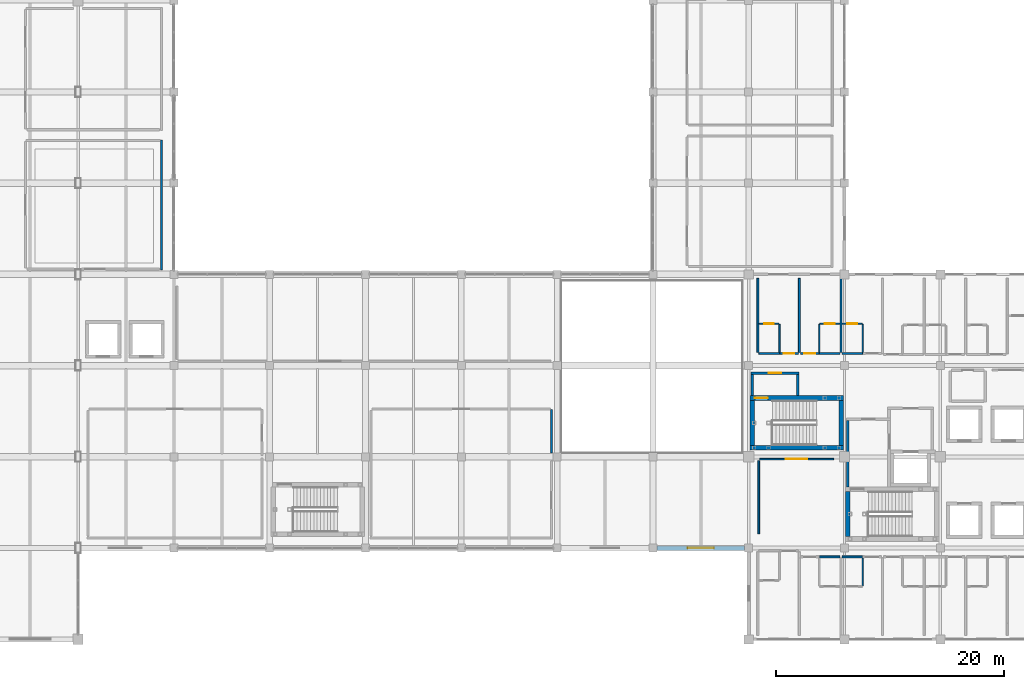
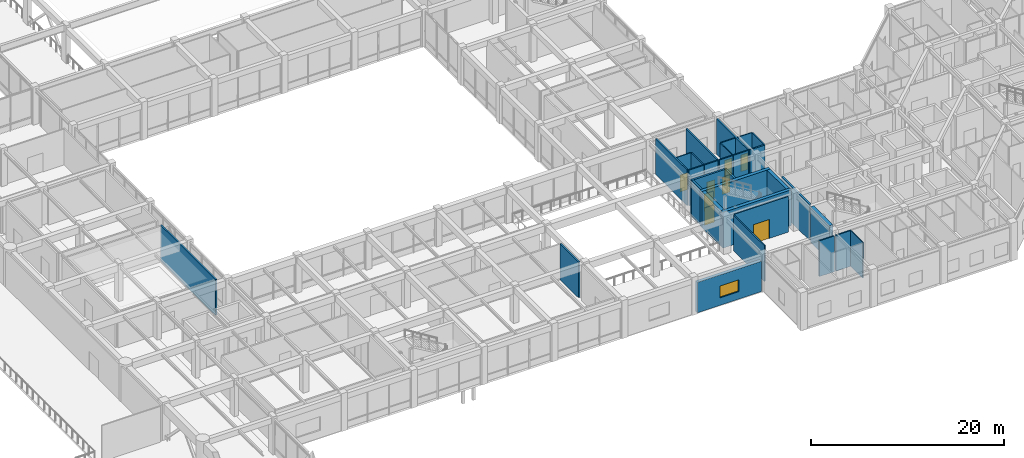
# One storey, part 53 of 76: 31 walls, 8 doors, 1 window, 9 openings.
"""IFC4 building model written with IfcOpenShell, lengths in metres."""

import ifcopenshell
import ifcopenshell.guid

model = None  # the IFC model being written
_history = None  # IfcOwnerHistory: only IFC2X3 demands one
_inside = {}  # id of a spatial element -> (the spatial element, [elements in it])
_under = {}  # id of a project, library or spatial element -> (it, [spatial elements below it])
_declared = {}  # id of a project -> (the project, [libraries it declares])
_typed = {}  # id of a type object -> (the type object, [elements of that type])
_made_of = {}  # id of a material, layer set ... -> (it, [elements and type objects made of it])


def new_model(schema):
    """Start an empty IFC model of exactly this schema.

    Asked for "IFC4X3", IfcOpenShell would pick the latest addendum, in which some entities
    have other attributes; the version numbers below select the first issue.
    IFC2X3 requires an IfcOwnerHistory on every rooted entity: one is made here for all.
    """
    global model, _history
    if schema == "IFC4X3":
        model = ifcopenshell.file(schema_version=(4, 3, 0, 0))
    else:
        model = ifcopenshell.file(schema=schema)
    _inside.clear()
    _under.clear()
    _declared.clear()
    _typed.clear()
    _made_of.clear()
    _history = None
    if model.schema == "IFC2X3":
        org = make("IfcOrganization", Name="unknown")
        user = make(
            "IfcPersonAndOrganization",
            ThePerson=make("IfcPerson", FamilyName="unknown"),
            TheOrganization=org,
        )
        app = make(
            "IfcApplication",
            ApplicationDeveloper=org,
            Version="unknown",
            ApplicationFullName="unknown",
            ApplicationIdentifier="unknown",
        )
        _history = make(
            "IfcOwnerHistory",
            OwningUser=user,
            OwningApplication=app,
            ChangeAction="ADDED",
            CreationDate=0,
        )
    return model


def make(cls, **values):
    """One entity of the class cls with the attributes given. An attribute that is None is left unset."""
    return model.create_entity(
        cls, **{name: value for name, value in values.items() if value is not None}
    )


def rooted(cls, **values):
    """An entity with a GlobalId (a new one), such as an element, a storey or a relation."""
    return make(cls, GlobalId=ifcopenshell.guid.new(), OwnerHistory=_history, **values)


def si_unit(unit_type, name, prefix=None):
    """IfcSIUnit, for example si_unit("LENGTHUNIT", "METRE", prefix="MILLI")."""
    return make("IfcSIUnit", UnitType=unit_type, Prefix=prefix, Name=name)


def assignment(units):
    """IfcUnitAssignment: the units of a project."""
    return None if units is None else make("IfcUnitAssignment", Units=units)


def point(xyz):
    """IfcCartesianPoint."""
    return None if xyz is None else make("IfcCartesianPoint", Coordinates=xyz)


def direction(xyz):
    """IfcDirection."""
    return None if xyz is None else make("IfcDirection", DirectionRatios=xyz)


def frame(location, z_axis=None, x_axis=None):
    """IfcAxis2Placement3D, a coordinate frame: its origin and axes. An axis left out is left unset."""
    return make(
        "IfcAxis2Placement3D",
        Location=point(location),
        Axis=direction(z_axis),
        RefDirection=direction(x_axis),
    )


def frame_2d(location, x_axis=None):
    """IfcAxis2Placement2D, a coordinate frame in the plane: its origin and x axis."""
    return make(
        "IfcAxis2Placement2D", Location=point(location), RefDirection=direction(x_axis)
    )


def origin():
    """The frame at (0, 0, 0) with its axes left unset."""
    return frame((0.0, 0.0, 0.0))


def place(relative_to, where):
    """IfcLocalPlacement: puts the frame where relative to a parent placement (None: the world)."""
    return make(
        "IfcLocalPlacement", PlacementRelTo=relative_to, RelativePlacement=where
    )


def context(
    kind, dimensions, precision=None, world=None, true_north=None, identifier=None
):
    """IfcGeometricRepresentationContext, for example the 3D "Model" context."""
    return make(
        "IfcGeometricRepresentationContext",
        ContextIdentifier=identifier,
        ContextType=kind,
        CoordinateSpaceDimension=dimensions,
        Precision=precision,
        WorldCoordinateSystem=world,
        TrueNorth=true_north,
    )


def subcontext(parent, identifier, kind, view, scale=None):
    """IfcGeometricRepresentationSubContext, for example "Body" below "Model"."""
    return make(
        "IfcGeometricRepresentationSubContext",
        ContextIdentifier=identifier,
        ContextType=kind,
        ParentContext=parent,
        TargetScale=scale,
        TargetView=view,
    )


def project(units=None, contexts=None):
    """IfcProject with its units and contexts."""
    return rooted(
        "IfcProject",
        Name="project",
        RepresentationContexts=contexts,
        UnitsInContext=assignment(units),
    )


def spatial(cls, under=None, at=None, **own):
    """A site, building, storey or space (cls), placed at a placement, below another one or the project."""
    s = rooted(cls, ObjectPlacement=at, **own)
    if under is not None:
        _under.setdefault(under.id(), (under, []))[1].append(s)
    return s


def profile(cls, at=None, kind="AREA", **sizes):
    """A parametric profile (cls). Its sizes go by their IFC names, for example OverallWidth=200.0."""
    return make(cls, ProfileType=kind, Position=at, **sizes)


def rectangle(**sizes):
    """IfcRectangleProfileDef."""
    return profile("IfcRectangleProfileDef", **sizes)


def extrude(swept, where, along, depth):
    """IfcExtrudedAreaSolid: the profile swept, set in the frame where, extruded along a direction by depth."""
    return make(
        "IfcExtrudedAreaSolid",
        SweptArea=swept,
        Position=where,
        ExtrudedDirection=direction(along),
        Depth=depth,
    )


def shape(context_of_items, identifier, shape_type, items):
    """IfcShapeRepresentation: the items that make up one representation, for example the "Body"."""
    return make(
        "IfcShapeRepresentation",
        ContextOfItems=context_of_items,
        RepresentationIdentifier=identifier,
        RepresentationType=shape_type,
        Items=items,
    )


def material(Name=None, Category=None):
    """IfcMaterial."""
    return make("IfcMaterial", Name=Name, Category=Category)


def layer(
    of_material, thickness, ventilated=None, Name=None, Category=None, Priority=None
):
    """IfcMaterialLayer: one layer of a wall or slab, of a material (None: an air gap)."""
    return make(
        "IfcMaterialLayer",
        Material=of_material,
        LayerThickness=thickness,
        IsVentilated=ventilated,
        Name=Name,
        Category=Category,
        Priority=Priority,
    )


def layer_set(layers, Name=None):
    """IfcMaterialLayerSet."""
    return make("IfcMaterialLayerSet", MaterialLayers=layers, LayerSetName=Name)


def made_of(thing, what):
    """Note that an element or type object is made of a material, layer set ...; save() writes the relation."""
    if what is not None:
        _made_of.setdefault(what.id(), (what, []))[1].append(thing)
    return thing


def type_object(cls, material=None, **own):
    """A type object (cls), such as IfcWallType, which elements share."""
    return made_of(rooted(cls, **own), material)


def element(
    cls,
    number,
    at=None,
    inside=None,
    cuts=None,
    type_object=None,
    material=None,
    context=None,
    identifier="Body",
    shape_type=None,
    held_by="IfcProductDefinitionShape",
    body=None,
    shapes=None,
    **own,
):
    """One element of the class cls, such as IfcWall. Its Tag is "e" and its number.

    at: its placement. inside: the storey or other place that contains it. cuts: it is an
    opening in that element (IfcRelVoidsElement). A single representation is given by context,
    identifier, shape_type and body (its items); several are given by shapes. held_by: the class
    of the entity that holds the representations. save() writes the other relations.
    """
    e = rooted(cls, Tag="e%d" % number, ObjectPlacement=at, **own)
    if body is not None:
        shapes = [shape(context, identifier, shape_type, body)]
    if shapes is not None:
        e.Representation = make(held_by, Representations=shapes)
    if inside is not None:
        _inside.setdefault(inside.id(), (inside, []))[1].append(e)
    if cuts is not None:
        rooted(
            "IfcRelVoidsElement", RelatingBuildingElement=cuts, RelatedOpeningElement=e
        )
    if type_object is not None:
        _typed.setdefault(type_object.id(), (type_object, []))[1].append(e)
    return made_of(e, material)


def fill(opening, filler):
    """IfcRelFillsElement: the door or window that sits in an opening."""
    return rooted(
        "IfcRelFillsElement",
        RelatingOpeningElement=opening,
        RelatedBuildingElement=filler,
    )


def aggregate(whole, parts):
    """IfcRelAggregates: a whole, such as a stair, and the parts it consists of."""
    return rooted("IfcRelAggregates", RelatingObject=whole, RelatedObjects=parts)


def save(model, path):
    """Write the relations noted so far, then the file.

    IfcRelAggregates (storeys below a building ...), IfcRelContainedInSpatialStructure (elements
    in a storey), IfcRelDefinesByType, IfcRelAssociatesMaterial and IfcRelDeclares: one each for
    every whole, place, type object, material and project.
    """
    for whole, parts in _under.values():
        aggregate(whole, parts)
    for where, things in _inside.values():
        rooted(
            "IfcRelContainedInSpatialStructure",
            RelatedElements=things,
            RelatingStructure=where,
        )
    for kind, things in _typed.values():
        rooted("IfcRelDefinesByType", RelatedObjects=things, RelatingType=kind)
    for what, things in _made_of.values():
        rooted("IfcRelAssociatesMaterial", RelatedObjects=things, RelatingMaterial=what)
    for by, libraries in _declared.values():
        rooted("IfcRelDeclares", RelatingContext=by, RelatedDefinitions=libraries)
    model.write(path)


model = new_model("IFC4")

# Units and contexts
model_context = context("Model", 3, precision=1e-05, world=origin(), true_north=direction((0.0, 1.0)))
body_context = subcontext(model_context, "Body", "Model", "MODEL_VIEW")
ifc_project = project(units=[si_unit("LENGTHUNIT", "METRE"), si_unit("AREAUNIT", "SQUARE_METRE"), si_unit("VOLUMEUNIT", "CUBIC_METRE"), si_unit("PLANEANGLEUNIT", "RADIAN"), si_unit("MASSUNIT", "GRAM", prefix="KILO")], contexts=[model_context])

# Site, building, storey
site_placement = place(None, origin())
site = spatial("IfcSite", under=ifc_project, at=site_placement, CompositionType="ELEMENT")
building_placement = place(site_placement, origin())
building = spatial("IfcBuilding", under=site, at=building_placement, Name="Naruveol Harbour Congress Hotel", CompositionType="ELEMENT")
storey_placement = place(building_placement, frame((0.0, 0.0, 11.39990234375)))
storey = spatial("IfcBuildingStorey", under=building, at=storey_placement, Name="L02", CompositionType="ELEMENT", Elevation=11.39990234375)

# Walls
ifc_material_1 = material(Name="Autoclaved Aerated Concrete Block", Category="concrete")
ifc_layer_1 = layer(ifc_material_1, 0.179931640625)
ifc_layer_set_1 = layer_set([ifc_layer_1], Name="Autoclaved Aerated Concrete Block")
wall_type_1 = type_object("IfcWallType", Name="ACOUSTIC HALL PARTITION WALL 180 EI60", PredefinedType="PARTITIONING", material=ifc_layer_set_1)
wall_1_placement = place(storey_placement, frame((100.320068359375, 16.344970703125, 0.0), z_axis=(0.0, 0.0, 1.0), x_axis=(0.0, 1.0, 0.0)))
element("IfcWall", 1, at=wall_1_placement, inside=storey, type_object=wall_type_1, Name="International Press Conference Room east enclosure partition PW-180", PredefinedType="PARTITIONING", context=body_context, shape_type="SweptSolid", body=[
    extrude(rectangle(XDim=3.822998046875, YDim=0.179931640625, at=frame_2d((1.91162109375, 0.0))), origin(), (0.0, 0.0, 1.0), 4.53515625),
])
wall_2_placement = place(storey_placement, frame((66.1201171875, 32.39990234375, 0.0), z_axis=(0.0, 0.0, 1.0), x_axis=(0.0, 1.0, 0.0)))
element("IfcWall", 2, at=wall_2_placement, inside=storey, type_object=wall_type_1, Name="Meeting Room 202 east enclosure partition PW-180", PredefinedType="PARTITIONING", context=body_context, shape_type="SweptSolid", body=[
    extrude(rectangle(XDim=11.400146484375, YDim=0.179931640625, at=frame_2d((5.7001953125, 0.0))), origin(), (0.0, 0.0, 1.0), 4.53515625),
])

# Wall, opening, door
ifc_material_2 = material(Name="Acoustic Double Stud Gypsum", Category="gypsum")
ifc_layer_2 = layer(ifc_material_2, 0.139892578125)
ifc_layer_set_2 = layer_set([ifc_layer_2], Name="Acoustic Double Stud Gypsum")
wall_type_2 = type_object("IfcWallType", Name="ACOUSTIC MEETING PARTITION WALL 140", PredefinedType="PARTITIONING", material=ifc_layer_set_2)
wall_3_placement = place(storey_placement, frame((118.56005859375, 15.800048828125, 0.0), z_axis=(0.0, 0.0, 1.0), x_axis=(1.0, 0.0, 0.0)))
wall_3 = element("IfcWall", 3, at=wall_3_placement, inside=storey, type_object=wall_type_2, Name="Reading Salon north entry wall PW-140", PredefinedType="PARTITIONING", context=body_context, shape_type="SweptSolid", body=[
    extrude(rectangle(XDim=6.47998046875, YDim=0.139892578125, at=frame_2d((3.239990234375, 0.0))), origin(), (0.0, 0.0, 1.0), 4.53515625),
])
opening_1_placement = place(wall_3_placement, frame((2.2900390625, 0.0, 0.0)))
opening_1 = element("IfcOpeningElement", 4, at=opening_1_placement, cuts=wall_3, Name="Opening ID-LG-76", PredefinedType="OPENING", context=body_context, shape_type="SweptSolid", body=[
    extrude(rectangle(XDim=1.89990234375, YDim=2.39990234375, at=frame_2d((0.949951171875, 1.199951171875))), frame((0.0, 0.079833984375, 0.0), z_axis=(0.0, -1.0, 0.0), x_axis=(1.0, 0.0, 0.0)), (0.0, 0.0, 1.0), 0.159912109375),
])
ifc_material_3 = material(Name="Timber & Steel Acoustic Leaf", Category="steel")
door_type_1 = type_object("IfcDoorType", Name="RESTAURANT AND LOUNGE GLAZED DOOR 1900X2400", OperationType="DOUBLE_DOOR_SINGLE_SWING", PredefinedType="DOOR", material=ifc_material_3)
door_1_placement = place(opening_1_placement, origin())
door_1 = element("IfcDoor", 5, at=door_1_placement, inside=storey, type_object=door_type_1, Name="Reading Salon Entrance Door", OperationType="DOUBLE_DOOR_SINGLE_SWING", OverallHeight=2.39990234375, OverallWidth=1.89990234375, PredefinedType="DOOR", context=body_context, shape_type="SweptSolid", body=[
    extrude(rectangle(XDim=1.89990234375, YDim=2.39990234375, at=frame_2d((0.949951171875, 1.199951171875))), frame((0.0, 0.02490234375, 0.0), z_axis=(0.0, -1.0, 0.0), x_axis=(1.0, 0.0, 0.0)), (0.0, 0.0, 1.0), 0.050048828125),
])
fill(opening_1, door_1)

# Walls
wall_4_placement = place(storey_placement, frame((118.47998046875, 9.25, 0.0), z_axis=(0.0, 0.0, 1.0), x_axis=(0.0, 1.0, 0.0)))
element("IfcWall", 6, at=wall_4_placement, inside=storey, type_object=wall_type_2, Name="Reading Salon west partition PW-140", PredefinedType="PARTITIONING", context=body_context, shape_type="SweptSolid", body=[
    extrude(rectangle(XDim=6.409912109375, YDim=0.139892578125, at=frame_2d((3.205078125, 0.0))), origin(), (0.0, 0.0, 1.0), 4.53515625),
])
ifc_material_4 = material(Name="Moisture-Resistant Gypsum Partition", Category="gypsum")
ifc_layer_3 = layer(ifc_material_4, 0.114990234375)
ifc_layer_set_3 = layer_set([ifc_layer_3], Name="Moisture-Resistant Gypsum Partition")
wall_type_3 = type_object("IfcWallType", Name="BATHROOM MOISTURE PARTITION WALL 115", PredefinedType="PARTITIONING", material=ifc_layer_set_3)
wall_5_placement = place(storey_placement, frame((120.31005859375, 25.159912109375, 0.0), z_axis=(0.0, 0.0, 1.0), x_axis=(0.0, 1.0, 0.0)))
element("IfcWall", 7, at=wall_5_placement, inside=storey, type_object=wall_type_3, Name="Bathroom east wall 0319 PW-115", PredefinedType="PARTITIONING", context=body_context, shape_type="SweptSolid", body=[
    extrude(rectangle(XDim=2.4501953125, YDim=0.114990234375, at=frame_2d((1.22509765625, 0.0))), origin(), (0.0, 0.0, 1.0), 4.53515625),
])

# Wall, opening, door
wall_6_placement = place(storey_placement, frame((118.5, 27.669921875, 0.0), z_axis=(0.0, 0.0, 1.0), x_axis=(1.0, 0.0, 0.0)))
wall_6 = element("IfcWall", 8, at=wall_6_placement, inside=storey, type_object=wall_type_3, Name="Bathroom north wall 0319 PW-115", PredefinedType="PARTITIONING", context=body_context, shape_type="SweptSolid", body=[
    extrude(rectangle(XDim=1.75, YDim=0.114990234375, at=frame_2d((0.875, 0.0))), origin(), (0.0, 0.0, 1.0), 4.53515625),
])
opening_2_placement = place(wall_6_placement, frame((0.445068359375, 0.0, 0.0)))
opening_2 = element("IfcOpeningElement", 9, at=opening_2_placement, cuts=wall_6, Name="Opening BD-RM0319", PredefinedType="OPENING", context=body_context, shape_type="SweptSolid", body=[
    extrude(rectangle(XDim=0.860107421875, YDim=2.1201171875, at=frame_2d((0.43017578125, 1.06005859375))), frame((0.0, 0.0673828125, 0.0), z_axis=(0.0, -1.0, 0.0), x_axis=(1.0, 0.0, 0.0)), (0.0, 0.0, 1.0), 0.135009765625),
])
ifc_material_5 = material(Name="Timber & Steel Acoustic Leaf", Category="steel")
door_type_2 = type_object("IfcDoorType", Name="GUEST BATHROOM DOOR 860X2120", OperationType="NOTDEFINED", PredefinedType="DOOR", material=ifc_material_5)
door_2_placement = place(opening_2_placement, origin())
door_2 = element("IfcDoor", 10, at=door_2_placement, inside=storey, type_object=door_type_2, Name="Bathroom Door 0319", OperationType="SINGLE_SWING_RIGHT", OverallHeight=2.1201171875, OverallWidth=0.860107421875, PredefinedType="DOOR", context=body_context, shape_type="SweptSolid", body=[
    extrude(rectangle(XDim=0.860107421875, YDim=2.1201171875, at=frame_2d((0.43017578125, 1.06005859375))), frame((0.0, 0.02490234375, 0.0), z_axis=(0.0, -1.0, 0.0), x_axis=(1.0, 0.0, 0.0)), (0.0, 0.0, 1.0), 0.050048828125),
])
fill(opening_2, door_2)

# Wall
wall_7_placement = place(storey_placement, frame((123.780029296875, 25.159912109375, 0.0), z_axis=(0.0, 0.0, 1.0), x_axis=(0.0, 1.0, 0.0)))
element("IfcWall", 11, at=wall_7_placement, inside=storey, type_object=wall_type_3, Name="Bathroom west wall 0320 PW-115", PredefinedType="PARTITIONING", context=body_context, shape_type="SweptSolid", body=[
    extrude(rectangle(XDim=2.4501953125, YDim=0.114990234375, at=frame_2d((1.22509765625, 0.0))), origin(), (0.0, 0.0, 1.0), 4.53515625),
])

# Wall, opening, door
wall_8_placement = place(storey_placement, frame((123.840087890625, 27.669921875, 0.0), z_axis=(0.0, 0.0, 1.0), x_axis=(1.0, 0.0, 0.0)))
wall_8 = element("IfcWall", 12, at=wall_8_placement, inside=storey, type_object=wall_type_3, Name="Bathroom north wall 0320 PW-115", PredefinedType="PARTITIONING", context=body_context, shape_type="SweptSolid", body=[
    extrude(rectangle(XDim=1.75, YDim=0.114990234375, at=frame_2d((0.875, 0.0))), origin(), (0.0, 0.0, 1.0), 4.53515625),
])
opening_3_placement = place(wall_8_placement, frame((0.445068359375, 0.0, 0.0)))
opening_3 = element("IfcOpeningElement", 13, at=opening_3_placement, cuts=wall_8, Name="Opening BD-RM0320", PredefinedType="OPENING", context=body_context, shape_type="SweptSolid", body=[
    extrude(rectangle(XDim=0.860107421875, YDim=2.1201171875, at=frame_2d((0.43017578125, 1.06005859375))), frame((0.0, 0.0673828125, 0.0), z_axis=(0.0, -1.0, 0.0), x_axis=(1.0, 0.0, 0.0)), (0.0, 0.0, 1.0), 0.135009765625),
])
door_3_placement = place(opening_3_placement, origin())
door_3 = element("IfcDoor", 14, at=door_3_placement, inside=storey, type_object=door_type_2, Name="Bathroom Door 0320", OperationType="SINGLE_SWING_RIGHT", OverallHeight=2.1201171875, OverallWidth=0.860107421875, PredefinedType="DOOR", context=body_context, shape_type="SweptSolid", body=[
    extrude(rectangle(XDim=0.860107421875, YDim=2.1201171875, at=frame_2d((0.43017578125, 1.06005859375))), frame((0.0, 0.02490234375, 0.0), z_axis=(0.0, -1.0, 0.0), x_axis=(1.0, 0.0, 0.0)), (0.0, 0.0, 1.0), 0.050048828125),
])
fill(opening_3, door_3)

# Wall
wall_9_placement = place(storey_placement, frame((127.60009765625, 25.159912109375, 0.0), z_axis=(0.0, 0.0, 1.0), x_axis=(0.0, 1.0, 0.0)))
element("IfcWall", 15, at=wall_9_placement, inside=storey, type_object=wall_type_3, Name="Bathroom east wall 0321 PW-115", PredefinedType="PARTITIONING", context=body_context, shape_type="SweptSolid", body=[
    extrude(rectangle(XDim=2.4501953125, YDim=0.114990234375, at=frame_2d((1.22509765625, 0.0))), origin(), (0.0, 0.0, 1.0), 4.53515625),
])

# Wall, opening, door
wall_10_placement = place(storey_placement, frame((125.7900390625, 27.669921875, 0.0), z_axis=(0.0, 0.0, 1.0), x_axis=(1.0, 0.0, 0.0)))
wall_10 = element("IfcWall", 16, at=wall_10_placement, inside=storey, type_object=wall_type_3, Name="Bathroom north wall 0321 PW-115", PredefinedType="PARTITIONING", context=body_context, shape_type="SweptSolid", body=[
    extrude(rectangle(XDim=1.75, YDim=0.114990234375, at=frame_2d((0.875, 0.0))), origin(), (0.0, 0.0, 1.0), 4.53515625),
])
opening_4_placement = place(wall_10_placement, frame((0.445068359375, 0.0, 0.0)))
opening_4 = element("IfcOpeningElement", 17, at=opening_4_placement, cuts=wall_10, Name="Opening BD-RM0321", PredefinedType="OPENING", context=body_context, shape_type="SweptSolid", body=[
    extrude(rectangle(XDim=0.860107421875, YDim=2.1201171875, at=frame_2d((0.43017578125, 1.06005859375))), frame((0.0, 0.0673828125, 0.0), z_axis=(0.0, -1.0, 0.0), x_axis=(1.0, 0.0, 0.0)), (0.0, 0.0, 1.0), 0.135009765625),
])
door_4_placement = place(opening_4_placement, origin())
door_4 = element("IfcDoor", 18, at=door_4_placement, inside=storey, type_object=door_type_2, Name="Bathroom Door 0321", OperationType="SINGLE_SWING_RIGHT", OverallHeight=2.1201171875, OverallWidth=0.860107421875, PredefinedType="DOOR", context=body_context, shape_type="SweptSolid", body=[
    extrude(rectangle(XDim=0.860107421875, YDim=2.1201171875, at=frame_2d((0.43017578125, 1.06005859375))), frame((0.0, 0.02490234375, 0.0), z_axis=(0.0, -1.0, 0.0), x_axis=(1.0, 0.0, 0.0)), (0.0, 0.0, 1.0), 0.050048828125),
])
fill(opening_4, door_4)

# Walls
wall_11_placement = place(storey_placement, frame((127.60009765625, 4.68994140625, 0.0), z_axis=(0.0, 0.0, 1.0), x_axis=(0.0, 1.0, 0.0)))
element("IfcWall", 19, at=wall_11_placement, inside=storey, type_object=wall_type_3, Name="Bathroom east wall 0303 PW-115", PredefinedType="PARTITIONING", context=body_context, shape_type="SweptSolid", body=[
    extrude(rectangle(XDim=2.449951171875, YDim=0.114990234375, at=frame_2d((1.22509765625, 0.0))), origin(), (0.0, 0.0, 1.0), 4.53515625),
])
ifc_material_6 = material(Name="Concrete C40/50", Category="concrete")
ifc_layer_4 = layer(ifc_material_6, 0.219970703125)
ifc_layer_set_4 = layer_set([ifc_layer_4], Name="Concrete C40/50")
wall_type_4 = type_object("IfcWallType", Name="FIRE COMPARTMENT AND LOBBY WALL 220 EI120", PredefinedType="PARTITIONING", material=ifc_layer_set_4)
wall_12_placement = place(storey_placement, frame((126.300048828125, 13.364990234375, 0.0), z_axis=(0.0, 0.0, 1.0), x_axis=(0.0, 1.0, 0.0)))
element("IfcWall", 20, at=wall_12_placement, inside=storey, type_object=wall_type_4, Name="Smoke vestibule ST1 west wall FW-220", PredefinedType="PARTITIONING", context=body_context, shape_type="SweptSolid", body=[
    extrude(rectangle(XDim=5.820068359375, YDim=0.219970703125, at=frame_2d((2.91015625, 0.0))), origin(), (0.0, 0.0, 1.0), 4.53515625),
])
wall_13_placement = place(storey_placement, frame((117.89990234375, 21.364990234375, 0.0), z_axis=(0.0, 0.0, 1.0), x_axis=(0.0, 1.0, 0.0)))
element("IfcWall", 21, at=wall_13_placement, inside=storey, type_object=wall_type_4, Name="Smoke vestibule ST3 west wall FW-220", PredefinedType="PARTITIONING", context=body_context, shape_type="SweptSolid", body=[
    extrude(rectangle(XDim=1.8701171875, YDim=0.219970703125, at=frame_2d((0.93505859375, 0.0))), origin(), (0.0, 0.0, 1.0), 4.53515625),
])

# Wall, opening, door
wall_14_placement = place(storey_placement, frame((117.7900390625, 23.35009765625, 0.0), z_axis=(0.0, 0.0, 1.0), x_axis=(1.0, 0.0, 0.0)))
wall_14 = element("IfcWall", 22, at=wall_14_placement, inside=storey, type_object=wall_type_4, Name="Smoke vestibule ST3 north wall FW-220", PredefinedType="PARTITIONING", context=body_context, shape_type="SweptSolid", body=[
    extrude(rectangle(XDim=4.219970703125, YDim=0.219970703125, at=frame_2d((2.10986328125, 0.0))), origin(), (0.0, 0.0, 1.0), 4.53515625),
])
opening_5_placement = place(wall_14_placement, frame((1.550048828125, 0.0, 0.0)))
opening_5 = element("IfcOpeningElement", 23, at=opening_5_placement, cuts=wall_14, Name="Opening FD-ST3-V-L02", PredefinedType="OPENING", context=body_context, shape_type="SweptSolid", body=[
    extrude(rectangle(XDim=1.1201171875, YDim=2.199951171875, at=frame_2d((0.56005859375, 1.10009765625))), frame((0.0, 0.119873046875, 0.0), z_axis=(0.0, -1.0, 0.0), x_axis=(1.0, 0.0, 0.0)), (0.0, 0.0, 1.0), 0.239990234375),
])
ifc_material_7 = material(Name="Timber & Steel Acoustic Leaf", Category="steel")
door_type_3 = type_object("IfcDoorType", Name="VESTIBULE SMOKE CONTROL FIRE DOOR 1120X2200", OperationType="NOTDEFINED", PredefinedType="DOOR", material=ifc_material_7)
door_5_placement = place(opening_5_placement, origin())
door_5 = element("IfcDoor", 24, at=door_5_placement, inside=storey, type_object=door_type_3, Name="Smoke Vestibule Entry Door ST3 L02", OperationType="SINGLE_SWING_LEFT", OverallHeight=2.199951171875, OverallWidth=1.1201171875, PredefinedType="DOOR", context=body_context, shape_type="SweptSolid", body=[
    extrude(rectangle(XDim=1.1201171875, YDim=2.199951171875, at=frame_2d((0.56005859375, 1.10009765625))), frame((0.0, 0.02490234375, 0.0), z_axis=(0.0, -1.0, 0.0), x_axis=(1.0, 0.0, 0.0)), (0.0, 0.0, 1.0), 0.050048828125),
])
fill(opening_5, door_5)

# Walls
wall_15_placement = place(storey_placement, frame((121.89990234375, 21.364990234375, 0.0), z_axis=(0.0, 0.0, 1.0), x_axis=(0.0, 1.0, 0.0)))
element("IfcWall", 25, at=wall_15_placement, inside=storey, type_object=wall_type_4, Name="Smoke vestibule ST3 east wall FW-220", PredefinedType="PARTITIONING", context=body_context, shape_type="SweptSolid", body=[
    extrude(rectangle(XDim=1.8701171875, YDim=0.219970703125, at=frame_2d((0.93505859375, 0.0))), origin(), (0.0, 0.0, 1.0), 4.53515625),
])
ifc_material_8 = material(Name="Autoclaved Aerated Concrete Block", Category="concrete")
ifc_layer_5 = layer(ifc_material_8, 0.159912109375)
ifc_layer_set_5 = layer_set([ifc_layer_5], Name="Autoclaved Aerated Concrete Block")
wall_type_5 = type_object("IfcWallType", Name="HOTEL PARTY AND CORRIDOR WALL 160 EI60", PredefinedType="PARTITIONING", material=ifc_layer_set_5)
wall_16_placement = place(storey_placement, frame((118.489990234375, 25.070068359375, 0.0), z_axis=(0.0, 0.0, 1.0), x_axis=(1.0, 0.0, 0.0)))
element("IfcWall", 26, at=wall_16_placement, inside=storey, type_object=wall_type_5, Name="Corridor wall 0319B PW-160", PredefinedType="PARTITIONING", context=body_context, shape_type="SweptSolid", body=[
    extrude(rectangle(XDim=1.81005859375, YDim=0.159912109375, at=frame_2d((0.905029296875, 0.0))), origin(), (0.0, 0.0, 1.0), 4.53515625),
])

# Wall, opening, door
wall_17_placement = place(storey_placement, frame((120.31005859375, 25.070068359375, 0.0), z_axis=(0.0, 0.0, 1.0), x_axis=(1.0, 0.0, 0.0)))
wall_17 = element("IfcWall", 27, at=wall_17_placement, inside=storey, type_object=wall_type_5, Name="Corridor entry wall 0319 PW-160", PredefinedType="PARTITIONING", context=body_context, shape_type="SweptSolid", body=[
    extrude(rectangle(XDim=1.639892578125, YDim=0.159912109375, at=frame_2d((0.81982421875, 0.0))), origin(), (0.0, 0.0, 1.0), 4.53515625),
])
opening_6_placement = place(wall_17_placement, frame((0.340087890625, 0.0, 0.0)))
opening_6 = element("IfcOpeningElement", 28, at=opening_6_placement, cuts=wall_17, Name="Opening FD-RM0319", PredefinedType="OPENING", context=body_context, shape_type="SweptSolid", body=[
    extrude(rectangle(XDim=0.9599609375, YDim=2.199951171875, at=frame_2d((0.47998046875, 1.10009765625))), frame((0.0, 0.08984375, 0.0), z_axis=(0.0, -1.0, 0.0), x_axis=(1.0, 0.0, 0.0)), (0.0, 0.0, 1.0), 0.179931640625),
])
ifc_material_9 = material(Name="Timber & Steel Acoustic Leaf", Category="steel")
door_type_4 = type_object("IfcDoorType", Name="GUEST ROOM ENTRANCE FIRE DOOR 960X2200", OperationType="NOTDEFINED", PredefinedType="DOOR", material=ifc_material_9)
door_6_placement = place(opening_6_placement, origin())
door_6 = element("IfcDoor", 29, at=door_6_placement, inside=storey, type_object=door_type_4, Name="Hotel Room Door 0319", OperationType="SINGLE_SWING_LEFT", OverallHeight=2.199951171875, OverallWidth=0.9599609375, PredefinedType="DOOR", context=body_context, shape_type="SweptSolid", body=[
    extrude(rectangle(XDim=0.9599609375, YDim=2.199951171875, at=frame_2d((0.47998046875, 1.10009765625))), frame((0.0, 0.02490234375, 0.0), z_axis=(0.0, -1.0, 0.0), x_axis=(1.0, 0.0, 0.0)), (0.0, 0.0, 1.0), 0.050048828125),
])
fill(opening_6, door_6)

# Wall
wall_18_placement = place(storey_placement, frame((118.39990234375, 25.159912109375, 0.0), z_axis=(0.0, 0.0, 1.0), x_axis=(0.0, 1.0, 0.0)))
element("IfcWall", 30, at=wall_18_placement, inside=storey, type_object=wall_type_5, Name="Hotel party wall 0319 PW-160", PredefinedType="PARTITIONING", context=body_context, shape_type="SweptSolid", body=[
    extrude(rectangle(XDim=6.5, YDim=0.159912109375, at=frame_2d((3.25, 0.0))), origin(), (0.0, 0.0, 1.0), 4.53515625),
])

# Wall, opening, door
wall_19_placement = place(storey_placement, frame((122.1298828125, 25.070068359375, 0.0), z_axis=(0.0, 0.0, 1.0), x_axis=(1.0, 0.0, 0.0)))
wall_19 = element("IfcWall", 31, at=wall_19_placement, inside=storey, type_object=wall_type_5, Name="Corridor entry wall 0320 PW-160", PredefinedType="PARTITIONING", context=body_context, shape_type="SweptSolid", body=[
    extrude(rectangle(XDim=1.650146484375, YDim=0.159912109375, at=frame_2d((0.8251953125, 0.0))), origin(), (0.0, 0.0, 1.0), 4.53515625),
])
opening_7_placement = place(wall_19_placement, frame((0.344970703125, 0.0, 0.0)))
opening_7 = element("IfcOpeningElement", 32, at=opening_7_placement, cuts=wall_19, Name="Opening FD-RM0320", PredefinedType="OPENING", context=body_context, shape_type="SweptSolid", body=[
    extrude(rectangle(XDim=0.9599609375, YDim=2.199951171875, at=frame_2d((0.47998046875, 1.10009765625))), frame((0.0, 0.08984375, 0.0), z_axis=(0.0, -1.0, 0.0), x_axis=(1.0, 0.0, 0.0)), (0.0, 0.0, 1.0), 0.179931640625),
])
door_7_placement = place(opening_7_placement, origin())
door_7 = element("IfcDoor", 33, at=door_7_placement, inside=storey, type_object=door_type_4, Name="Hotel Room Door 0320", OperationType="SINGLE_SWING_LEFT", OverallHeight=2.199951171875, OverallWidth=0.9599609375, PredefinedType="DOOR", context=body_context, shape_type="SweptSolid", body=[
    extrude(rectangle(XDim=0.9599609375, YDim=2.199951171875, at=frame_2d((0.47998046875, 1.10009765625))), frame((0.0, 0.02490234375, 0.0), z_axis=(0.0, -1.0, 0.0), x_axis=(1.0, 0.0, 0.0)), (0.0, 0.0, 1.0), 0.050048828125),
])
fill(opening_7, door_7)

# Walls
wall_20_placement = place(storey_placement, frame((123.7900390625, 25.070068359375, 0.0), z_axis=(0.0, 0.0, 1.0), x_axis=(1.0, 0.0, 0.0)))
element("IfcWall", 34, at=wall_20_placement, inside=storey, type_object=wall_type_5, Name="Corridor wall 0320B PW-160", PredefinedType="PARTITIONING", context=body_context, shape_type="SweptSolid", body=[
    extrude(rectangle(XDim=1.81005859375, YDim=0.159912109375, at=frame_2d((0.905029296875, 0.0))), origin(), (0.0, 0.0, 1.0), 4.53515625),
])
wall_21_placement = place(storey_placement, frame((122.0400390625, 25.159912109375, 0.0), z_axis=(0.0, 0.0, 1.0), x_axis=(0.0, 1.0, 0.0)))
element("IfcWall", 35, at=wall_21_placement, inside=storey, type_object=wall_type_5, Name="Hotel party wall 0320 PW-160", PredefinedType="PARTITIONING", context=body_context, shape_type="SweptSolid", body=[
    extrude(rectangle(XDim=6.5, YDim=0.159912109375, at=frame_2d((3.25, 0.0))), origin(), (0.0, 0.0, 1.0), 4.53515625),
])
wall_22_placement = place(storey_placement, frame((125.780029296875, 25.070068359375, 0.0), z_axis=(0.0, 0.0, 1.0), x_axis=(1.0, 0.0, 0.0)))
element("IfcWall", 36, at=wall_22_placement, inside=storey, type_object=wall_type_5, Name="Corridor wall 0321B PW-160", PredefinedType="PARTITIONING", context=body_context, shape_type="SweptSolid", body=[
    extrude(rectangle(XDim=1.81005859375, YDim=0.159912109375, at=frame_2d((0.905029296875, 0.0))), origin(), (0.0, 0.0, 1.0), 4.53515625),
])
wall_23_placement = place(storey_placement, frame((125.68994140625, 25.159912109375, 0.0), z_axis=(0.0, 0.0, 1.0), x_axis=(0.0, 1.0, 0.0)))
element("IfcWall", 37, at=wall_23_placement, inside=storey, type_object=wall_type_5, Name="Hotel party wall 0321 PW-160", PredefinedType="PARTITIONING", context=body_context, shape_type="SweptSolid", body=[
    extrude(rectangle(XDim=6.5, YDim=0.159912109375, at=frame_2d((3.25, 0.0))), origin(), (0.0, 0.0, 1.0), 4.53515625),
])
for number, where, z_axis, x_axis, name in (
    (38, (123.7900390625, 7.22998046875, 0.0), (0.0, 0.0, 1.0), (1.0, 0.0, 0.0), "Corridor wall 0302B PW-160"),
    (39, (125.780029296875, 7.22998046875, 0.0), (0.0, 0.0, 1.0), (1.0, 0.0, 0.0), "Corridor wall 0303B PW-160"),
):
    element("IfcWall", number, at=place(storey_placement, frame(where, z_axis=z_axis, x_axis=x_axis)), inside=storey, type_object=wall_type_5, Name=name, PredefinedType="PARTITIONING", context=body_context, shape_type="SweptSolid", body=[
        extrude(rectangle(XDim=1.81005859375, YDim=0.159912109375, at=frame_2d((0.905029296875, 0.0))), origin(), (0.0, 0.0, 1.0), 4.53515625),
    ])

# Wall, opening, window
ifc_material_10 = material(Name="Concrete C40/50", Category="concrete")
ifc_layer_6 = layer(ifc_material_10, 0.3798828125)
ifc_layer_set_6 = layer_set([ifc_layer_6], Name="Concrete C40/50")
wall_type_6 = type_object("IfcWallType", Name="INSULATED GRANITE FACADE WALL 380", PredefinedType="SOLIDWALL", material=ifc_layer_set_6)
wall_24_placement = place(storey_placement, frame((117.25, 8.0, 0.0), z_axis=(0.0, 0.0, 1.0), x_axis=(-1.0, 0.0, 0.0)))
wall_24 = element("IfcWall", 40, at=wall_24_placement, inside=storey, type_object=wall_type_6, Name="Courtyard wing south facade EW-380", PredefinedType="SOLIDWALL", context=body_context, shape_type="SweptSolid", body=[
    extrude(rectangle(XDim=7.699951171875, YDim=0.3798828125, at=frame_2d((3.85009765625, 0.0))), origin(), (0.0, 0.0, 1.0), 3.85009765625),
])
opening_8_placement = place(wall_24_placement, frame((2.699951171875, 0.0, 0.949951171875)))
opening_8 = element("IfcOpeningElement", 41, at=opening_8_placement, cuts=wall_24, Name="Opening W-21", PredefinedType="OPENING", context=body_context, shape_type="SweptSolid", body=[
    extrude(rectangle(XDim=2.300048828125, YDim=1.5, at=frame_2d((1.14990234375, 0.75))), frame((0.0, 0.199951171875, 0.0), z_axis=(0.0, -1.0, 0.0), x_axis=(1.0, 0.0, 0.0)), (0.0, 0.0, 1.0), 0.39990234375),
])
ifc_material_11 = material(Name="Low-E Triple Glazing in Thermal Aluminium", Category="aluminium")
window_type = type_object("IfcWindowType", Name="COURTYARD GALLERY WINDOW 2300X1500", PartitioningType="DOUBLE_PANEL_VERTICAL", PredefinedType="WINDOW", material=ifc_material_11)
window_placement = place(opening_8_placement, origin())
window = element("IfcWindow", 42, at=window_placement, inside=storey, type_object=window_type, Name="Window W-21 #146", OverallHeight=1.5, OverallWidth=2.300048828125, PartitioningType="DOUBLE_PANEL_VERTICAL", PredefinedType="WINDOW", context=body_context, shape_type="SweptSolid", body=[
    extrude(rectangle(XDim=2.300048828125, YDim=1.5, at=frame_2d((1.14990234375, 0.75))), frame((0.0, 0.030029296875, 0.0), z_axis=(0.0, -1.0, 0.0), x_axis=(1.0, 0.0, 0.0)), (0.0, 0.0, 1.0), 0.06005859375),
])
fill(opening_8, window)

# Walls
ifc_material_12 = material(Name="Concrete C50/60", Category="concrete")
ifc_layer_7 = layer(ifc_material_12, 0.39990234375)
ifc_layer_set_7 = layer_set([ifc_layer_7], Name="Concrete C50/60")
wall_type_7 = type_object("IfcWallType", Name="RC CORE SHEAR WALL 400 EI120", PredefinedType="SHEAR", material=ifc_layer_set_7)
wall_25_placement = place(storey_placement, frame((126.300048828125, 9.0048828125, 0.0), z_axis=(0.0, 0.0, 1.0), x_axis=(0.0, 1.0, 0.0)))
element("IfcWall", 43, at=wall_25_placement, inside=storey, type_object=wall_type_7, Name="Stair ST1 west core wall CW-400", PredefinedType="SHEAR", context=body_context, shape_type="SweptSolid", body=[
    extrude(rectangle(XDim=3.9501953125, YDim=0.39990234375, at=frame_2d((1.97509765625, 0.0))), origin(), (0.0, 0.0, 1.0), 4.53515625),
])
wall_26_placement = place(storey_placement, frame((117.699951171875, 16.800048828125, 0.0), z_axis=(0.0, 0.0, 1.0), x_axis=(1.0, 0.0, 0.0)))
element("IfcWall", 44, at=wall_26_placement, inside=storey, type_object=wall_type_7, Name="Stair ST3 south core wall CW-400", PredefinedType="SHEAR", context=body_context, shape_type="SweptSolid", body=[
    extrude(rectangle(XDim=8.199951171875, YDim=0.39990234375, at=frame_2d((4.10009765625, 0.0))), origin(), (0.0, 0.0, 1.0), 4.53515625),
])
wall_27_placement = place(storey_placement, frame((125.699951171875, 17.0048828125, 0.0), z_axis=(0.0, 0.0, 1.0), x_axis=(0.0, 1.0, 0.0)))
element("IfcWall", 45, at=wall_27_placement, inside=storey, type_object=wall_type_7, Name="Stair ST3 east core wall CW-400", PredefinedType="SHEAR", context=body_context, shape_type="SweptSolid", body=[
    extrude(rectangle(XDim=3.9501953125, YDim=0.39990234375, at=frame_2d((1.97509765625, 0.0))), origin(), (0.0, 0.0, 1.0), 4.53515625),
])

# Wall, opening, door
wall_28_placement = place(storey_placement, frame((117.699951171875, 21.159912109375, 0.0), z_axis=(0.0, 0.0, 1.0), x_axis=(1.0, 0.0, 0.0)))
wall_28 = element("IfcWall", 46, at=wall_28_placement, inside=storey, type_object=wall_type_7, Name="Stair ST3 north core wall CW-400", PredefinedType="SHEAR", context=body_context, shape_type="SweptSolid", body=[
    extrude(rectangle(XDim=8.199951171875, YDim=0.39990234375, at=frame_2d((4.10009765625, 0.0))), origin(), (0.0, 0.0, 1.0), 4.53515625),
])
opening_9_placement = place(wall_28_placement, frame((0.429931640625, 0.0, 0.0)))
opening_9 = element("IfcOpeningElement", 47, at=opening_9_placement, cuts=wall_28, Name="Opening FD-ST3-S-L02", PredefinedType="OPENING", context=body_context, shape_type="SweptSolid", body=[
    extrude(rectangle(XDim=1.159912109375, YDim=2.199951171875, at=frame_2d((0.580078125, 1.10009765625))), frame((0.0, 0.2099609375, 0.0), z_axis=(0.0, -1.0, 0.0), x_axis=(1.0, 0.0, 0.0)), (0.0, 0.0, 1.0), 0.419921875),
])
ifc_material_13 = material(Name="Timber & Steel Acoustic Leaf", Category="steel")
door_type_5 = type_object("IfcDoorType", Name="SPECIAL ESCAPE STAIR FIRE DOOR 1160X2200", OperationType="NOTDEFINED", PredefinedType="DOOR", material=ifc_material_13)
door_8_placement = place(opening_9_placement, origin())
door_8 = element("IfcDoor", 48, at=door_8_placement, inside=storey, type_object=door_type_5, Name="Special Escape Stair Door ST3 L02", OperationType="SINGLE_SWING_RIGHT", OverallHeight=2.199951171875, OverallWidth=1.159912109375, PredefinedType="DOOR", context=body_context, shape_type="SweptSolid", body=[
    extrude(rectangle(XDim=1.159912109375, YDim=2.199951171875, at=frame_2d((0.580078125, 1.10009765625))), frame((0.0, 0.02490234375, 0.0), z_axis=(0.0, -1.0, 0.0), x_axis=(1.0, 0.0, 0.0)), (0.0, 0.0, 1.0), 0.050048828125),
])
fill(opening_9, door_8)

# Wall
wall_29_placement = place(storey_placement, frame((117.89990234375, 17.0048828125, 0.0), z_axis=(0.0, 0.0, 1.0), x_axis=(0.0, 1.0, 0.0)))
element("IfcWall", 49, at=wall_29_placement, inside=storey, type_object=wall_type_7, Name="Stair ST3 west core wall CW-400", PredefinedType="SHEAR", context=body_context, shape_type="SweptSolid", body=[
    extrude(rectangle(XDim=3.9501953125, YDim=0.39990234375, at=frame_2d((1.97509765625, 0.0))), origin(), (0.0, 0.0, 1.0), 4.53515625),
])

save(model, "model.ifc")
